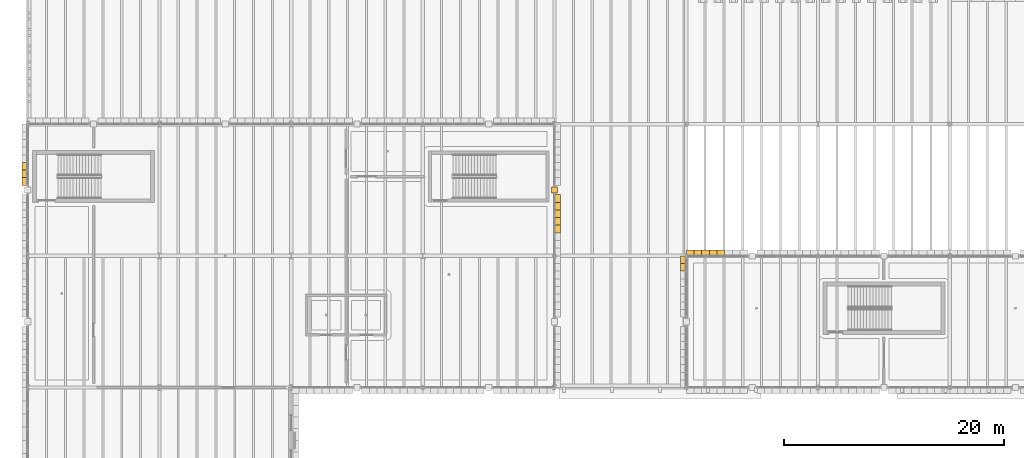
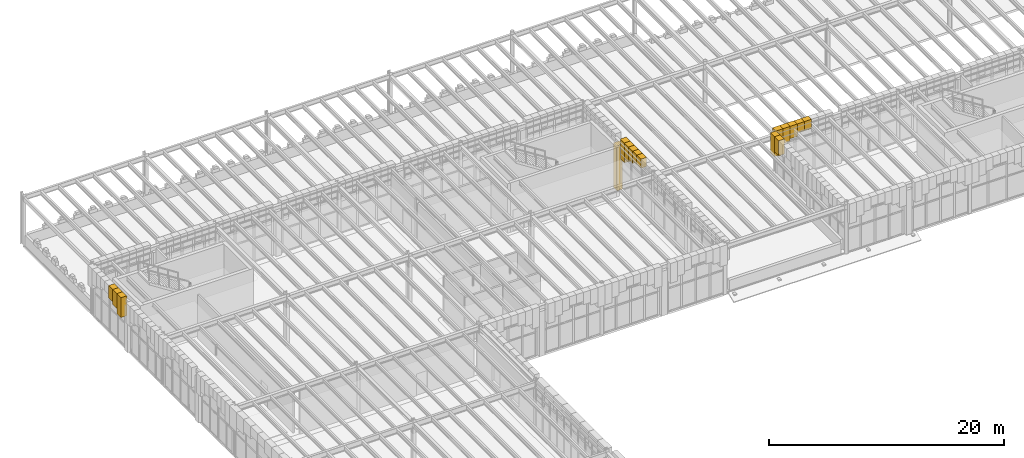
# One storey, part 80 of 100: 16 coverings.
"""IFC4 building model written with IfcOpenShell, lengths in metres."""

from ifc_helpers import new_model, si_unit, direction, frame, origin, place, context, subcontext, project, spatial, polyline, outline, extrude, material, layer, layer_set, type_object, element, save


model = new_model("IFC4")

# Units and contexts
model_context = context("Model", 3, precision=1e-05, world=origin(), true_north=direction((0.0, 1.0)))
body_context = subcontext(model_context, "Body", "Model", "MODEL_VIEW")
ifc_project = project(units=[si_unit("LENGTHUNIT", "METRE"), si_unit("AREAUNIT", "SQUARE_METRE"), si_unit("VOLUMEUNIT", "CUBIC_METRE"), si_unit("PLANEANGLEUNIT", "RADIAN"), si_unit("MASSUNIT", "GRAM", prefix="KILO")], contexts=[model_context])

# Site, building, storey
site_placement = place(None, origin())
site = spatial("IfcSite", under=ifc_project, at=site_placement, CompositionType="ELEMENT")
building_placement = place(site_placement, origin())
building = spatial("IfcBuilding", under=site, at=building_placement, Name="Zlatogorsky Bluff Art Gallery", CompositionType="ELEMENT")
storey_placement = place(building_placement, frame((0.0, 0.0, 5.39990234375)))
storey = spatial("IfcBuildingStorey", under=building, at=storey_placement, Name="L01", CompositionType="ELEMENT", Elevation=5.39990234375)

# Coverings
ifc_material = material(Name="Honed Red Agra-Tone Quartzitic Sandstone", Category="masonry")
ifc_layer = layer(ifc_material, 0.1201171875)
ifc_layer_set = layer_set([ifc_layer], Name="Carved Sandstone Cladding CLD-02")
covering_type = type_object("IfcCoveringType", Name="Carved Sandstone Cladding CLD-02", PredefinedType="CLADDING", material=ifc_layer_set)
covering_1_placement = place(storey_placement, frame((0.0, 0.0, 3.2978515625)))
element("IfcCovering", 1, at=covering_1_placement, inside=storey, type_object=covering_type, Name="Pointed Mughal arch voussoir spandrel ARCH-CW-L01-W-00-09-A.1", PredefinedType="CLADDING", context=body_context, shape_type="SweptSolid", body=[
    extrude(outline(polyline([(-0.5400390625, 102.419921875), (-0.5400390625, 103.117431640625), (0.030029296875, 103.117431640625), (0.030029296875, 102.419921875), (-0.5400390625, 102.419921875)])), origin(), (0.0, 0.0, 1.0), 2.062255859375),
])
covering_2_placement = place(storey_placement, frame((0.0, 0.0, 3.7998046875)))
element("IfcCovering", 2, at=covering_2_placement, inside=storey, type_object=covering_type, Name="Pointed Mughal arch voussoir spandrel ARCH-CW-L01-W-00-09-A.2", PredefinedType="CLADDING", context=body_context, shape_type="SweptSolid", body=[
    extrude(outline(polyline([(-0.5400390625, 103.117431640625), (-0.5400390625, 103.81494140625), (0.030029296875, 103.81494140625), (0.030029296875, 103.117431640625), (-0.5400390625, 103.117431640625)])), origin(), (0.0, 0.0, 1.0), 1.560302734375),
])
covering_3_placement = place(storey_placement, frame((0.0, 0.0, 4.076416015625)))
element("IfcCovering", 3, at=covering_3_placement, inside=storey, type_object=covering_type, Name="Pointed Mughal arch voussoir spandrel ARCH-CW-L01-W-00-09-A.3", PredefinedType="CLADDING", context=body_context, shape_type="SweptSolid", body=[
    extrude(outline(polyline([(-0.5400390625, 103.81494140625), (-0.5400390625, 104.512451171875), (0.030029296875, 104.512451171875), (0.030029296875, 103.81494140625), (-0.5400390625, 103.81494140625)])), origin(), (0.0, 0.0, 1.0), 1.28369140625),
])
covering_4_placement = place(storey_placement, frame((0.0, 0.0, -0.02978515625)))
element("IfcCovering", 4, at=covering_4_placement, inside=storey, type_object=covering_type, Name="Mughal dalan central sandstone pier L01 E 3.9", PredefinedType="CLADDING", context=body_context, shape_type="SweptSolid", body=[
    extrude(outline(polyline([(47.719970703125, 101.719970703125), (48.280029296875, 101.719970703125), (48.280029296875, 102.280029296875), (47.719970703125, 102.280029296875), (47.719970703125, 101.719970703125)])), origin(), (0.0, 0.0, 1.0), 4.659912109375),
])
covering_5_placement = place(storey_placement, frame((0.0, 0.0, 4.424560546875)))
element("IfcCovering", 5, at=covering_5_placement, inside=storey, type_object=covering_type, Name="Pointed Mughal arch voussoir spandrel ARCH-CW-L01-E-03-09-A.4", PredefinedType="CLADDING", context=body_context, shape_type="SweptSolid", body=[
    extrude(outline(polyline([(47.969970703125, 98.092529296875), (47.969970703125, 98.7900390625), (48.5400390625, 98.7900390625), (48.5400390625, 98.092529296875), (47.969970703125, 98.092529296875)])), origin(), (0.0, 0.0, 1.0), 0.935546875),
])
covering_6_placement = place(storey_placement, frame((0.0, 0.0, 4.424560546875)))
element("IfcCovering", 6, at=covering_6_placement, inside=storey, type_object=covering_type, Name="Pointed Mughal arch voussoir spandrel ARCH-CW-L01-E-03-09-A.5", PredefinedType="CLADDING", context=body_context, shape_type="SweptSolid", body=[
    extrude(outline(polyline([(47.969970703125, 98.7900390625), (47.969970703125, 99.487548828125), (48.5400390625, 99.487548828125), (48.5400390625, 98.7900390625), (47.969970703125, 98.7900390625)])), origin(), (0.0, 0.0, 1.0), 0.935546875),
])
covering_7_placement = place(storey_placement, frame((0.0, 0.0, 4.076416015625)))
element("IfcCovering", 7, at=covering_7_placement, inside=storey, type_object=covering_type, Name="Pointed Mughal arch voussoir spandrel ARCH-CW-L01-E-03-09-A.6", PredefinedType="CLADDING", context=body_context, shape_type="SweptSolid", body=[
    extrude(outline(polyline([(47.969970703125, 99.487548828125), (47.969970703125, 100.18505859375), (48.5400390625, 100.18505859375), (48.5400390625, 99.487548828125), (47.969970703125, 99.487548828125)])), origin(), (0.0, 0.0, 1.0), 1.28369140625),
])
covering_8_placement = place(storey_placement, frame((0.0, 0.0, 3.7998046875)))
element("IfcCovering", 8, at=covering_8_placement, inside=storey, type_object=covering_type, Name="Pointed Mughal arch voussoir spandrel ARCH-CW-L01-E-03-09-A.7", PredefinedType="CLADDING", context=body_context, shape_type="SweptSolid", body=[
    extrude(outline(polyline([(47.969970703125, 100.18505859375), (47.969970703125, 100.882568359375), (48.5400390625, 100.882568359375), (48.5400390625, 100.18505859375), (47.969970703125, 100.18505859375)])), origin(), (0.0, 0.0, 1.0), 1.560302734375),
])
covering_9_placement = place(storey_placement, frame((0.0, 0.0, 3.2978515625)))
element("IfcCovering", 9, at=covering_9_placement, inside=storey, type_object=covering_type, Name="Pointed Mughal arch voussoir spandrel ARCH-CW-L01-E-03-09-A.8", PredefinedType="CLADDING", context=body_context, shape_type="SweptSolid", body=[
    extrude(outline(polyline([(47.969970703125, 100.882568359375), (47.969970703125, 101.580078125), (48.5400390625, 101.580078125), (48.5400390625, 100.882568359375), (47.969970703125, 100.882568359375)])), origin(), (0.0, 0.0, 1.0), 2.062255859375),
])
covering_10_placement = place(storey_placement, frame((0.0, 0.0, 3.2978515625)))
element("IfcCovering", 10, at=covering_10_placement, inside=storey, type_object=covering_type, Name="Pointed Mughal arch voussoir spandrel ARCH-CW-L01-N-05-08-B.1", PredefinedType="CLADDING", context=body_context, shape_type="SweptSolid", body=[
    extrude(outline(polyline([(60.0, 95.969970703125), (60.697509765625, 95.969970703125), (60.697509765625, 96.5400390625), (60.0, 96.5400390625), (60.0, 95.969970703125)])), origin(), (0.0, 0.0, 1.0), 2.062255859375),
])
covering_11_placement = place(storey_placement, frame((0.0, 0.0, 3.7998046875)))
element("IfcCovering", 11, at=covering_11_placement, inside=storey, type_object=covering_type, Name="Pointed Mughal arch voussoir spandrel ARCH-CW-L01-N-05-08-B.2", PredefinedType="CLADDING", context=body_context, shape_type="SweptSolid", body=[
    extrude(outline(polyline([(60.697509765625, 95.969970703125), (61.39501953125, 95.969970703125), (61.39501953125, 96.5400390625), (60.697509765625, 96.5400390625), (60.697509765625, 95.969970703125)])), origin(), (0.0, 0.0, 1.0), 1.560302734375),
])
covering_12_placement = place(storey_placement, frame((0.0, 0.0, 4.076416015625)))
element("IfcCovering", 12, at=covering_12_placement, inside=storey, type_object=covering_type, Name="Pointed Mughal arch voussoir spandrel ARCH-CW-L01-N-05-08-B.3", PredefinedType="CLADDING", context=body_context, shape_type="SweptSolid", body=[
    extrude(outline(polyline([(61.39501953125, 95.969970703125), (62.092529296875, 95.969970703125), (62.092529296875, 96.5400390625), (61.39501953125, 96.5400390625), (61.39501953125, 95.969970703125)])), origin(), (0.0, 0.0, 1.0), 1.28369140625),
])
covering_13_placement = place(storey_placement, frame((0.0, 0.0, 4.424560546875)))
element("IfcCovering", 13, at=covering_13_placement, inside=storey, type_object=covering_type, Name="Pointed Mughal arch voussoir spandrel ARCH-CW-L01-N-05-08-B.4", PredefinedType="CLADDING", context=body_context, shape_type="SweptSolid", body=[
    extrude(outline(polyline([(62.092529296875, 95.969970703125), (62.7900390625, 95.969970703125), (62.7900390625, 96.5400390625), (62.092529296875, 96.5400390625), (62.092529296875, 95.969970703125)])), origin(), (0.0, 0.0, 1.0), 0.935546875),
])
covering_14_placement = place(storey_placement, frame((0.0, 0.0, 4.424560546875)))
element("IfcCovering", 14, at=covering_14_placement, inside=storey, type_object=covering_type, Name="Pointed Mughal arch voussoir spandrel ARCH-CW-L01-N-05-08-B.5", PredefinedType="CLADDING", context=body_context, shape_type="SweptSolid", body=[
    extrude(outline(polyline([(62.7900390625, 95.969970703125), (63.487548828125, 95.969970703125), (63.487548828125, 96.5400390625), (62.7900390625, 96.5400390625), (62.7900390625, 95.969970703125)])), origin(), (0.0, 0.0, 1.0), 0.935546875),
])
covering_15_placement = place(storey_placement, frame((0.0, 0.0, 3.7998046875)))
element("IfcCovering", 15, at=covering_15_placement, inside=storey, type_object=covering_type, Name="Pointed Mughal arch voussoir spandrel ARCH-CW-L01-W-05-08-A.7", PredefinedType="CLADDING", context=body_context, shape_type="SweptSolid", body=[
    extrude(outline(polyline([(59.4599609375, 94.60498046875), (59.4599609375, 95.302490234375), (60.030029296875, 95.302490234375), (60.030029296875, 94.60498046875), (59.4599609375, 94.60498046875)])), origin(), (0.0, 0.0, 1.0), 1.560302734375),
])
covering_16_placement = place(storey_placement, frame((0.0, 0.0, 3.2978515625)))
element("IfcCovering", 16, at=covering_16_placement, inside=storey, type_object=covering_type, Name="Pointed Mughal arch voussoir spandrel ARCH-CW-L01-W-05-08-A.8", PredefinedType="CLADDING", context=body_context, shape_type="SweptSolid", body=[
    extrude(outline(polyline([(59.4599609375, 95.302490234375), (59.4599609375, 96.0), (60.030029296875, 96.0), (60.030029296875, 95.302490234375), (59.4599609375, 95.302490234375)])), origin(), (0.0, 0.0, 1.0), 2.062255859375),
])

save(model, "model.ifc")
